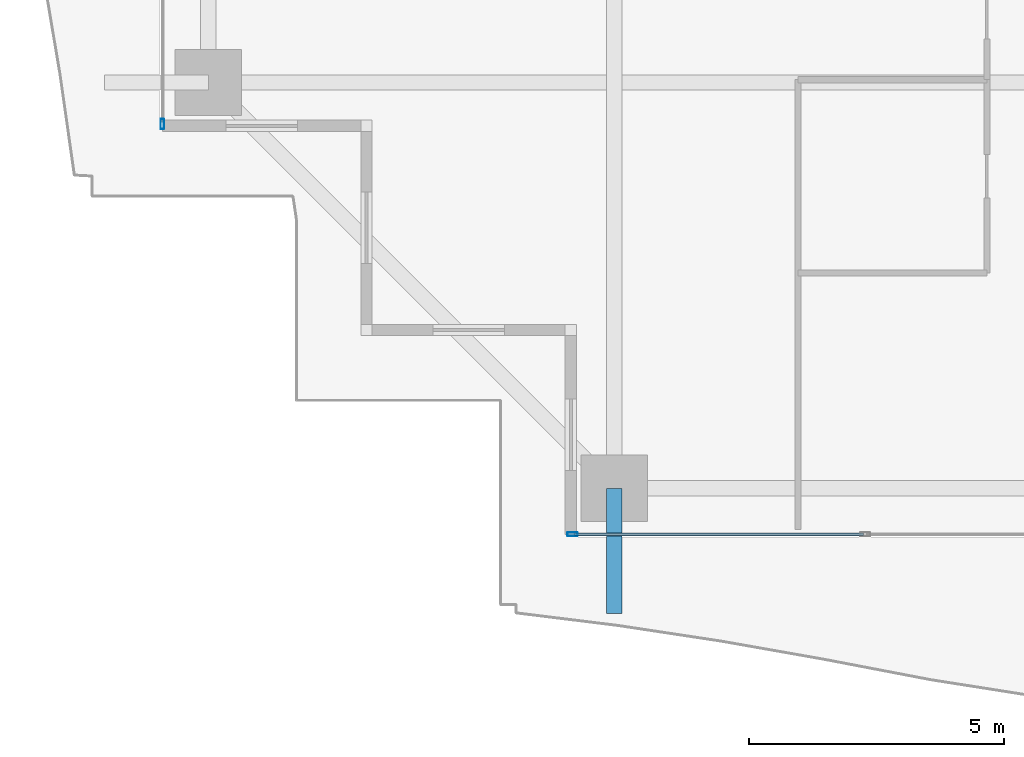
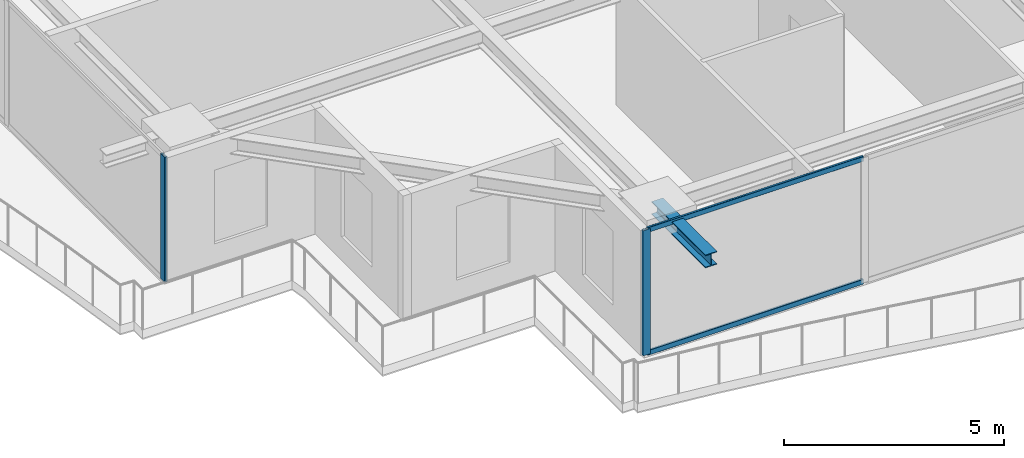
# One storey, part 2 of 34: 4 members, 1 beam, 2 elements without a shape of their own.
"""IFC4 building model written with IfcOpenShell, lengths in metres."""

from ifc_helpers import new_model, si_unit, direction, frame, origin, origin_2d, place, context, subcontext, project, spatial, hollow_rectangle, i_section, extrude, source, transform, mapped, material, layer, layer_set, material_profile, profile_set, type_object, element, aggregate, save


model = new_model("IFC4")

# Units and contexts
model_context = context("Model", 3, precision=1e-05, world=origin(), true_north=direction((0.0, 1.0)))
body_context = subcontext(model_context, "Body", "Model", "MODEL_VIEW")
ifc_project = project(units=[si_unit("LENGTHUNIT", "METRE"), si_unit("AREAUNIT", "SQUARE_METRE"), si_unit("VOLUMEUNIT", "CUBIC_METRE"), si_unit("PLANEANGLEUNIT", "RADIAN"), si_unit("MASSUNIT", "GRAM", prefix="KILO")], contexts=[model_context])

# Site, building, storey
site_placement = place(None, origin())
site = spatial("IfcSite", under=ifc_project, at=site_placement, CompositionType="ELEMENT")
building_placement = place(site_placement, origin())
building = spatial("IfcBuilding", under=site, at=building_placement, Name="Serunith Strait Residences", CompositionType="ELEMENT")
storey_placement = place(building_placement, frame((0.0, 0.0, 187.64990234375)))
storey = spatial("IfcBuildingStorey", under=building, at=storey_placement, Name="L47", CompositionType="ELEMENT", Elevation=187.64990234375)

# Beam
ifc_material_1 = material(Name="Steel S355J2", Category="steel")
ifc_material_profile_1 = material_profile(ifc_material_1, i_section(OverallWidth=0.300048828125, OverallDepth=0.360107421875, WebThickness=0.012451171875, FlangeThickness=0.0224609375, FilletRadius=0.027099609375, at=origin_2d()), Name="HEB 360")
ifc_profile_set_1 = profile_set([ifc_material_profile_1], Name="Steel S355J2")
beam_type = type_object("IfcBeamType", Name="BM-HEB360", PredefinedType="BEAM", material=ifc_profile_set_1)
shared_shape_1 = source(origin(), body_context, "Body", "SweptSolid", [
    extrude(i_section(OverallWidth=0.300048828125, OverallDepth=0.360107421875, WebThickness=0.012451171875, FlangeThickness=0.0224609375, FilletRadius=0.027099609375, at=origin_2d()), origin(), (0.0, 0.0, 1.0), 2.45556640625),
])
beam_placement = place(storey_placement, frame((16.64990234375, 2.300048828125, 3.277099609375), z_axis=(0.0, -1.0, 0.0), x_axis=(1.0, 0.0, 0.0)))
element("IfcBeam", 1, at=beam_placement, inside=storey, type_object=beam_type, Name="L48 Cantilevered Balcony Rib TC-S1", PredefinedType="BEAM", context=body_context, shape_type="MappedRepresentation", body=[
    mapped(shared_shape_1, transform((0.0, 0.0, 0.0), scale=1.0)),
])

# Curtain wall, member
ifc_material_2 = material(Name="Pale-Champagne Anodised Aluminium", Category="aluminium")
ifc_layer = layer(ifc_material_2, 0.199951171875, Name="Pale-Champagne Anodised Aluminium")
ifc_layer_set = layer_set([ifc_layer], Name="Pale-Champagne Anodised Aluminium")
curtain_wall_type = type_object("IfcCurtainWallType", Name="CW-SYS2", PredefinedType="NOTDEFINED", material=ifc_layer_set)
curtain_wall_1_placement = place(storey_placement, origin())
curtain_wall_1 = element("IfcCurtainWall", 2, at=curtain_wall_1_placement, inside=storey, type_object=curtain_wall_type, Name="L47 S Unitised Fritted Curtain Wall", PredefinedType="NOTDEFINED")
ifc_material_profile_2 = material_profile(ifc_material_2, hollow_rectangle(XDim=0.070068359375, YDim=0.199951171875, WallThickness=0.00390625, InnerFilletRadius=0.006103515625, OuterFilletRadius=0.010009765625, at=origin_2d()), Name="ALU 200x70x4")
ifc_profile_set_2 = profile_set([ifc_material_profile_2], Name="Pale-Champagne Anodised Aluminium")
member_type_1 = type_object("IfcMemberType", Name="CW-SYS2-MULL", PredefinedType="MULLION", material=ifc_profile_set_2)
shared_shape_2 = source(origin(), body_context, "Body", "SweptSolid", [
    extrude(hollow_rectangle(XDim=0.070068359375, YDim=0.199951171875, WallThickness=0.00390625, InnerFilletRadius=0.006103515625, OuterFilletRadius=0.010009765625, at=origin_2d()), origin(), (0.0, 0.0, 1.0), 3.47509765625),
])
member_1_placement = place(storey_placement, frame((15.8349609375, 1.39990234375, 0.0), z_axis=(0.0, 0.0, 1.0), x_axis=(0.0, 1.0, 0.0)))
member_1 = element("IfcMember", 3, at=member_1_placement, type_object=member_type_1, Name="CW-2 mullion 1", PredefinedType="MULLION", context=body_context, shape_type="MappedRepresentation", body=[
    mapped(shared_shape_2, transform((0.0, 0.0, 0.0), scale=1.0)),
])

curtain_wall_2_placement = place(storey_placement, origin())
curtain_wall_2 = element("IfcCurtainWall", 4, at=curtain_wall_2_placement, inside=storey, type_object=curtain_wall_type, Name="L47 W Unitised Fritted Curtain Wall", PredefinedType="NOTDEFINED")
member_2_placement = place(storey_placement, frame((7.800048828125, 9.43505859375, 0.0), z_axis=(0.0, 0.0, 1.0), x_axis=(1.0, 0.0, 0.0)))
member_2 = element("IfcMember", 5, at=member_2_placement, type_object=member_type_1, Name="CW-2 mullion 3", PredefinedType="MULLION", context=body_context, shape_type="MappedRepresentation", body=[
    mapped(shared_shape_2, transform((0.0, 0.0, 0.0), scale=1.0)),
])
aggregate(curtain_wall_2, [member_2])

# Member
ifc_material_profile_3 = material_profile(ifc_material_2, hollow_rectangle(XDim=0.06005859375, YDim=0.139892578125, WallThickness=0.00341796875, InnerFilletRadius=0.00537109375, OuterFilletRadius=0.0087890625, at=origin_2d()), Name="ALU 140x60x3.5")
ifc_profile_set_3 = profile_set([ifc_material_profile_3], Name="Pale-Champagne Anodised Aluminium")
member_type_2 = type_object("IfcMemberType", Name="CW-SYS2-TRAN", PredefinedType="USERDEFINED", material=ifc_profile_set_3)
shared_shape_3 = source(origin(), body_context, "Body", "SweptSolid", [
    extrude(hollow_rectangle(XDim=0.06005859375, YDim=0.139892578125, WallThickness=0.00341796875, InnerFilletRadius=0.00537109375, OuterFilletRadius=0.0087890625, at=origin_2d()), origin(), (0.0, 0.0, 1.0), 5.66162109375),
])
member_3_placement = place(storey_placement, frame((15.8701171875, 1.39990234375, 0.030029296875), z_axis=(1.0, 0.0, 0.0), x_axis=(0.0, 1.0, 0.0)))
member_3 = element("IfcMember", 6, at=member_3_placement, type_object=member_type_2, Name="CW-2 transom 1.1", ObjectType="TRANSOM", PredefinedType="USERDEFINED", context=body_context, shape_type="MappedRepresentation", body=[
    mapped(shared_shape_3, transform((0.0, 0.0, 0.0), scale=1.0)),
])

member_4_placement = place(storey_placement, frame((15.8701171875, 1.39990234375, 3.445068359375), z_axis=(1.0, 0.0, 0.0), x_axis=(0.0, 1.0, 0.0)))
member_4 = element("IfcMember", 7, at=member_4_placement, type_object=member_type_2, Name="CW-2 transom 1.2", ObjectType="TRANSOM", PredefinedType="USERDEFINED", context=body_context, shape_type="MappedRepresentation", body=[
    mapped(shared_shape_3, transform((0.0, 0.0, 0.0), scale=1.0)),
])

aggregate(curtain_wall_1, [member_1, member_3, member_4])

save(model, "model.ifc")
